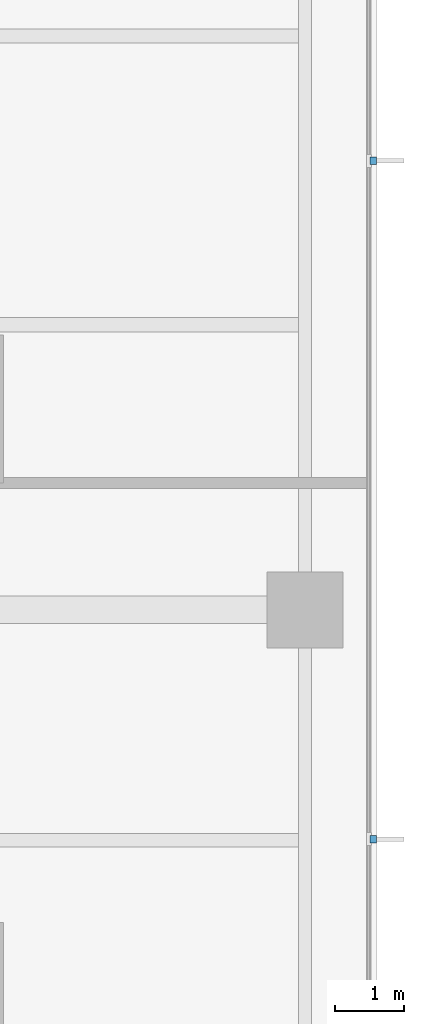
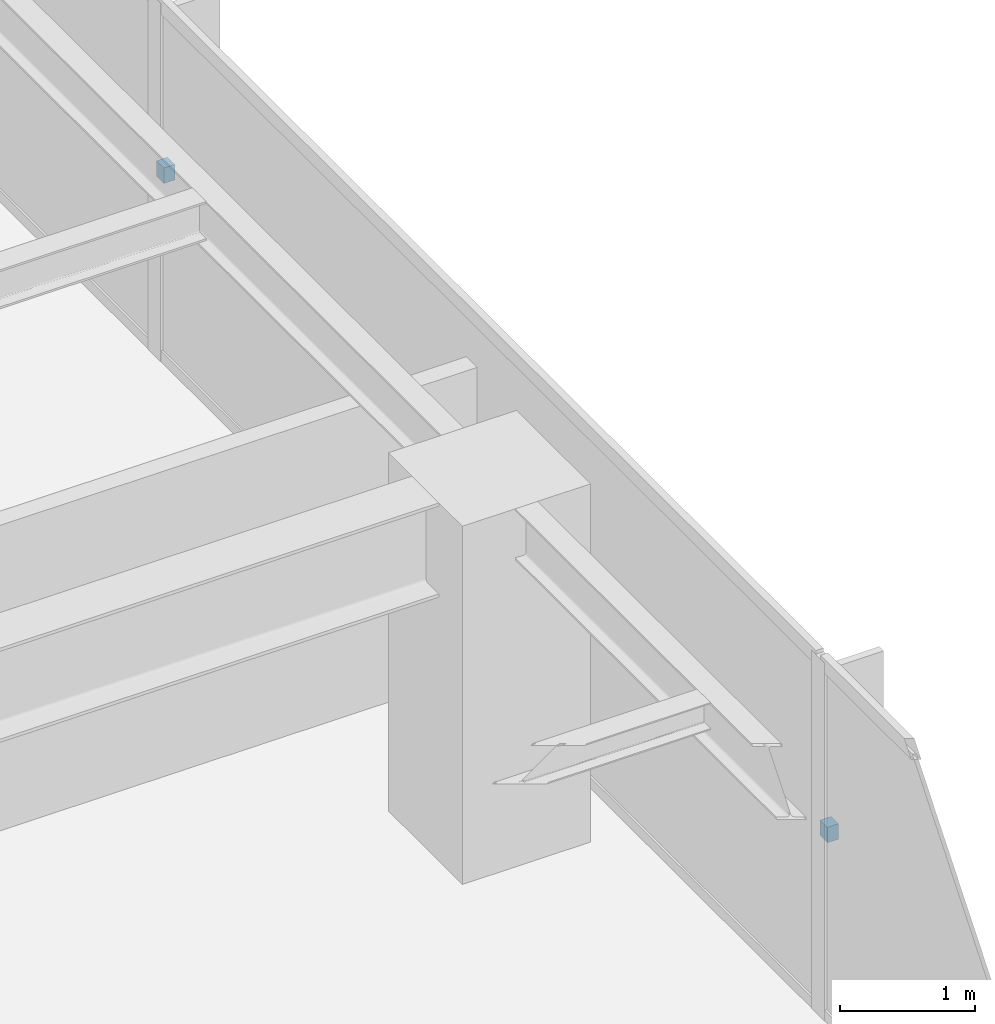
# One storey, part 13 of 16: 2 discrete accessories.
"""IFC4 building model written with IfcOpenShell, lengths in metres."""

from ifc_helpers import new_model, si_unit, direction, frame, origin, place, context, subcontext, project, spatial, polyline, outline, extrude, material, type_object, element, save


model = new_model("IFC4")

# Units and contexts
model_context = context("Model", 3, precision=1e-05, world=origin(), true_north=direction((0.0, 1.0)))
body_context = subcontext(model_context, "Body", "Model", "MODEL_VIEW")
ifc_project = project(units=[si_unit("LENGTHUNIT", "METRE"), si_unit("AREAUNIT", "SQUARE_METRE"), si_unit("VOLUMEUNIT", "CUBIC_METRE"), si_unit("PLANEANGLEUNIT", "RADIAN"), si_unit("MASSUNIT", "GRAM", prefix="KILO")], contexts=[model_context])

# Site, building, storey
site_placement = place(None, origin())
site = spatial("IfcSite", under=ifc_project, at=site_placement, CompositionType="ELEMENT")
building_placement = place(site_placement, origin())
building = spatial("IfcBuilding", under=site, at=building_placement, Name="Qalmaran Belvedere Hotel", CompositionType="ELEMENT")
storey_placement = place(building_placement, frame((0.0, 0.0, 145.60009765625)))
storey = spatial("IfcBuildingStorey", under=building, at=storey_placement, Name="L36", CompositionType="ELEMENT", Elevation=145.60009765625)

# Discrete accessories
ifc_material = material(Name="Stainless Steel 1.4401", Category="steel")
discrete_accessory_type = type_object("IfcDiscreteAccessoryType", Name="BRK-FIN-SS316", PredefinedType="BRACKET", material=ifc_material)
discrete_accessory_1_placement = place(storey_placement, frame((0.0, 0.0, 1.574951171875)))
element("IfcDiscreteAccessory", 1, at=discrete_accessory_1_placement, inside=storey, type_object=discrete_accessory_type, Name="L36 Fin Bracket 1", PredefinedType="BRACKET", context=body_context, shape_type="SweptSolid", body=[
    extrude(outline(polyline([(56.094970703125, 17.11181640625), (56.18994140625, 17.11181640625), (56.18994140625, 17.2216796875), (56.094970703125, 17.2216796875), (56.094970703125, 17.11181640625)])), origin(), (0.0, 0.0, 1.0), 0.139892578125),
])
discrete_accessory_2_placement = place(storey_placement, frame((0.0, 0.0, 1.574951171875)))
element("IfcDiscreteAccessory", 2, at=discrete_accessory_2_placement, inside=storey, type_object=discrete_accessory_type, Name="L36 Fin Bracket 2", PredefinedType="BRACKET", context=body_context, shape_type="SweptSolid", body=[
    extrude(outline(polyline([(56.094970703125, 26.978271484375), (56.18994140625, 26.978271484375), (56.18994140625, 27.08837890625), (56.094970703125, 27.08837890625), (56.094970703125, 26.978271484375)])), origin(), (0.0, 0.0, 1.0), 0.139892578125),
])

save(model, "model.ifc")
